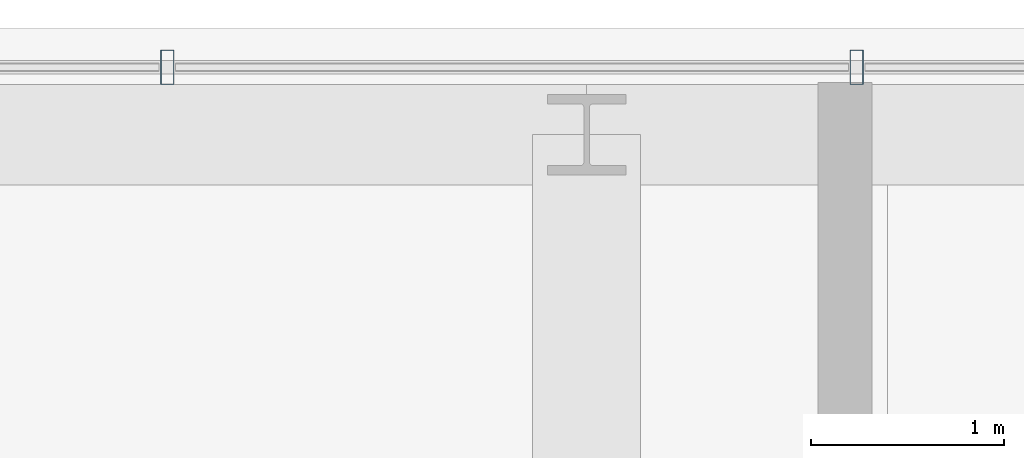
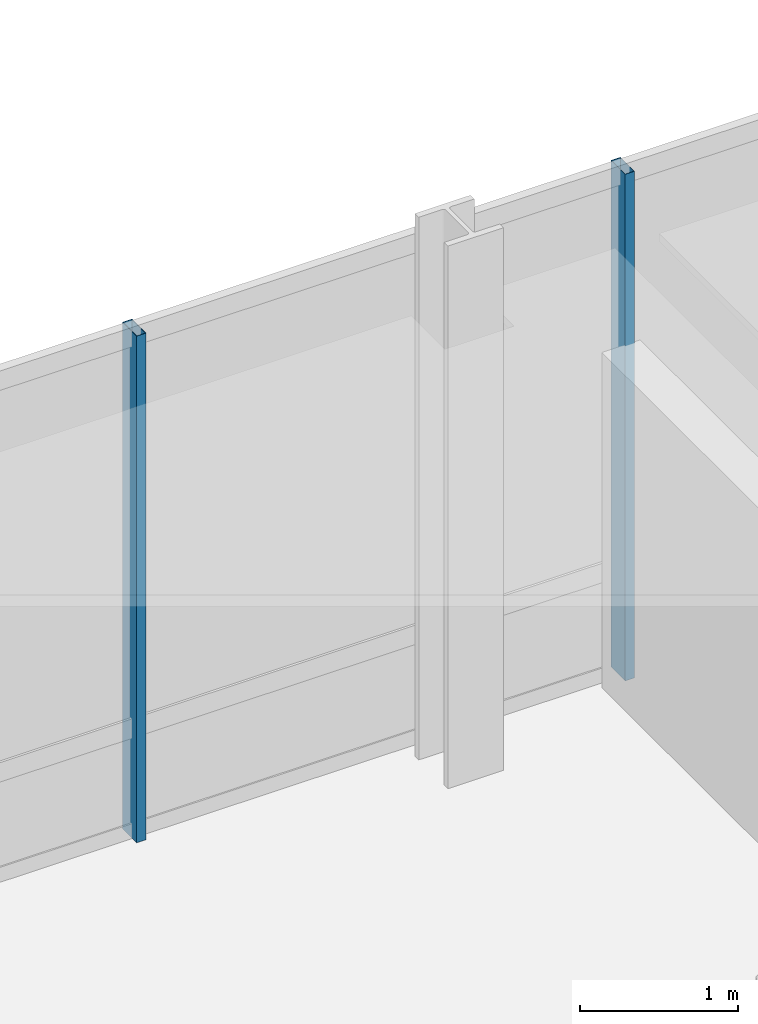
# One storey, part 24 of 51: 2 members, 1 element without a shape of its own.
"""IFC4 building model written with IfcOpenShell, lengths in metres."""

from ifc_helpers import new_model, si_unit, direction, frame, origin, origin_2d, place, context, subcontext, project, spatial, hollow_rectangle, extrude, material, material_profile, profile_set, type_object, element, aggregate, save


model = new_model("IFC4")

# Units and contexts
model_context = context("Model", 3, precision=1e-05, world=origin(), true_north=direction((0.0, 1.0)))
body_context = subcontext(model_context, "Body", "Model", "MODEL_VIEW")
ifc_project = project(units=[si_unit("LENGTHUNIT", "METRE"), si_unit("AREAUNIT", "SQUARE_METRE"), si_unit("VOLUMEUNIT", "CUBIC_METRE"), si_unit("PLANEANGLEUNIT", "RADIAN"), si_unit("MASSUNIT", "GRAM", prefix="KILO")], contexts=[model_context])

# Site, building, storey
site_placement = place(None, origin())
site = spatial("IfcSite", under=ifc_project, at=site_placement, CompositionType="ELEMENT")
building_placement = place(site_placement, origin())
building = spatial("IfcBuilding", under=site, at=building_placement, Name="Punatoya Terracotta Tower", CompositionType="ELEMENT")
storey_placement = place(building_placement, frame((0.0, 0.0, 313.199951171875)))
storey = spatial("IfcBuildingStorey", under=building, at=storey_placement, Name="L74", CompositionType="ELEMENT", Elevation=313.199951171875)

# Curtain wall, members
ifc_material_1 = material(Name="Aluminium 6063-T6 + Double Low-E Glass", Category="aluminium")
curtain_wall_type = type_object("IfcCurtainWallType", Name="CW-M3", PredefinedType="NOTDEFINED", material=ifc_material_1)
curtain_wall_placement = place(storey_placement, origin())
curtain_wall = element("IfcCurtainWall", 1, at=curtain_wall_placement, inside=storey, type_object=curtain_wall_type, Name="L74 Curtain Wall CW-L74-N09-1", PredefinedType="NOTDEFINED")
ifc_material_2 = material(Name="Aluminium 6063-T6", Category="aluminium")
ifc_material_profile = material_profile(ifc_material_2, hollow_rectangle(XDim=0.070068359375, YDim=0.179931640625, WallThickness=0.00390625, at=origin_2d()))
ifc_profile_set = profile_set([ifc_material_profile], Name="Aluminium 6063-T6")
member_type = type_object("IfcMemberType", Name="CW-MUL-M3", PredefinedType="MULLION", material=ifc_profile_set)
member_1_placement = place(storey_placement, frame((-2.39990234375, 23.25, 0.0), z_axis=(0.0, 0.0, 1.0), x_axis=(1.0, 0.0, 0.0)))
member_1 = element("IfcMember", 2, at=member_1_placement, type_object=member_type, Name="CW-L74-N09-1 Mullion 04", PredefinedType="MULLION", context=body_context, shape_type="SweptSolid", body=[
    extrude(hollow_rectangle(XDim=0.070068359375, YDim=0.179931640625, WallThickness=0.00390625, at=origin_2d()), origin(), (0.0, 0.0, 1.0), 3.920166015625),
])
member_2_placement = place(storey_placement, frame((-5.97509765625, 23.25, 0.0), z_axis=(0.0, 0.0, 1.0), x_axis=(1.0, 0.0, 0.0)))
member_2 = element("IfcMember", 3, at=member_2_placement, type_object=member_type, Name="CW-L74-N09-1 Mullion 05", PredefinedType="MULLION", context=body_context, shape_type="SweptSolid", body=[
    extrude(hollow_rectangle(XDim=0.070068359375, YDim=0.179931640625, WallThickness=0.00390625, at=origin_2d()), origin(), (0.0, 0.0, 1.0), 3.920166015625),
])
aggregate(curtain_wall, [member_1, member_2])

save(model, "model.ifc")
